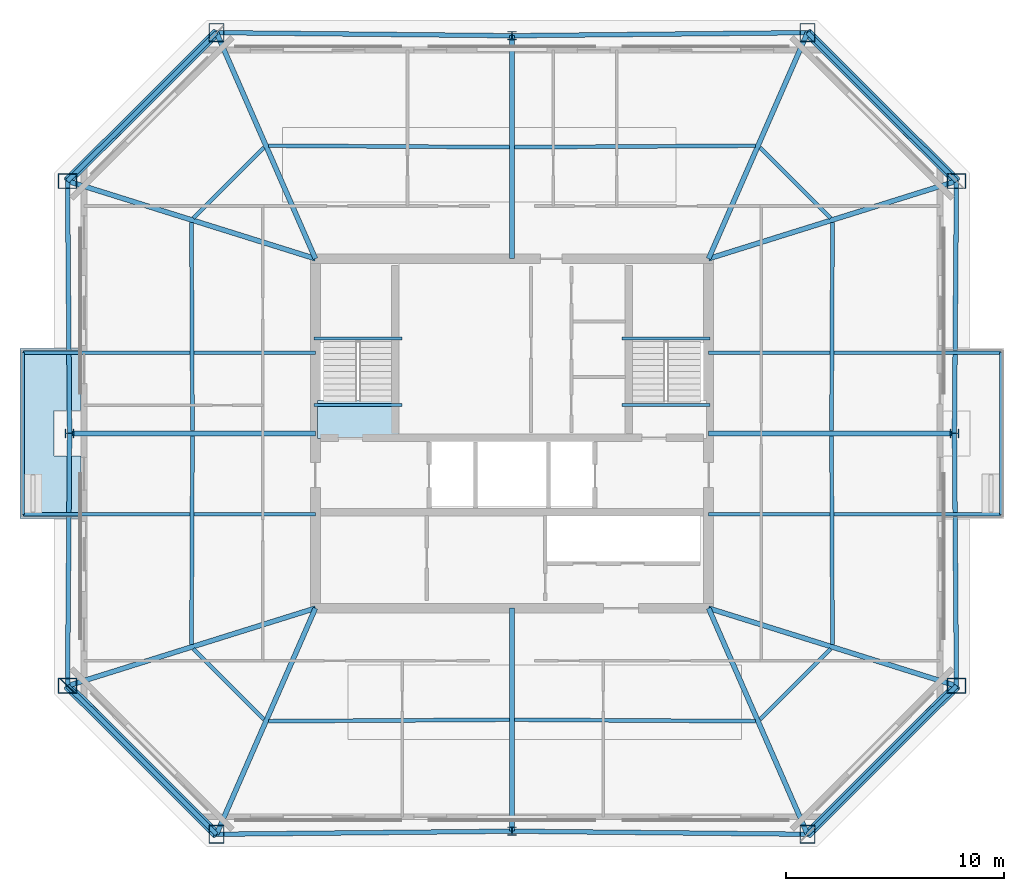
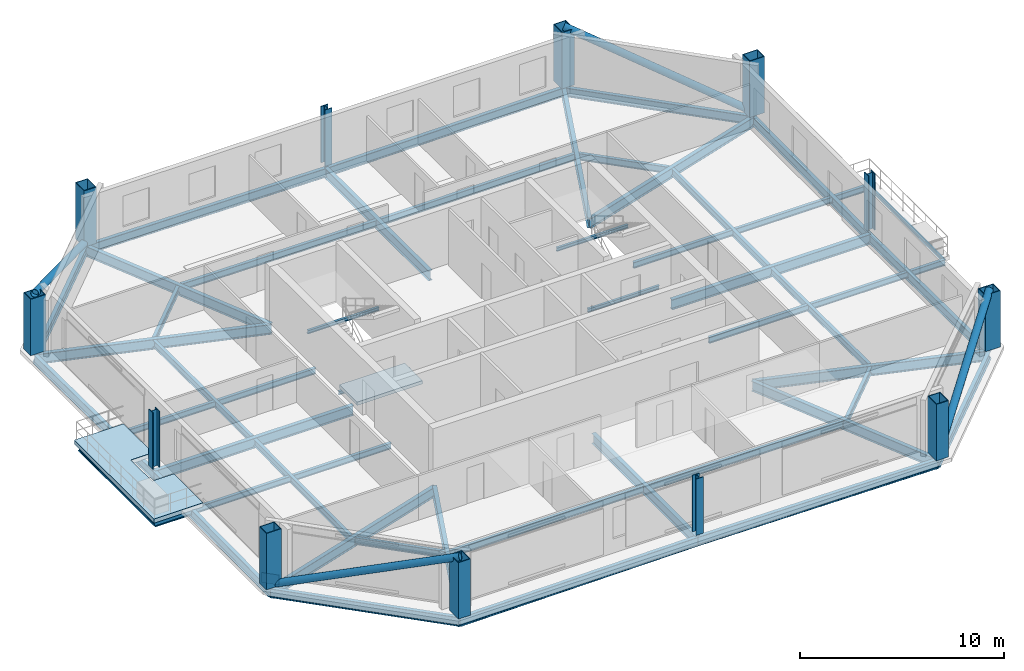
# One storey, part 1 of 7: 46 beams, 12 columns, 4 members, 2 slabs, 1 plate, 1 element without a shape of its own.
"""IFC4 building model written with IfcOpenShell, lengths in metres."""

from ifc_helpers import new_model, si_unit, direction, frame, origin, origin_2d, place, context, subcontext, project, spatial, polyline, rectangle, hollow_rectangle, hollow_circle, i_section, outline, extrude, material, layer, layer_set, material_profile, profile_set, type_object, element, aggregate, save


model = new_model("IFC4")

# Units and contexts
model_context = context("Model", 3, precision=1e-05, world=origin(), true_north=direction((0.0, 1.0)))
body_context = subcontext(model_context, "Body", "Model", "MODEL_VIEW")
ifc_project = project(units=[si_unit("LENGTHUNIT", "METRE"), si_unit("AREAUNIT", "SQUARE_METRE"), si_unit("VOLUMEUNIT", "CUBIC_METRE"), si_unit("PLANEANGLEUNIT", "RADIAN"), si_unit("MASSUNIT", "GRAM", prefix="KILO")], contexts=[model_context])

# Site, building, storey
site_placement = place(None, origin())
site = spatial("IfcSite", under=ifc_project, at=site_placement, CompositionType="ELEMENT")
building_placement = place(site_placement, origin())
building = spatial("IfcBuilding", under=site, at=building_placement, Name="Caelvoria Tower", CompositionType="ELEMENT")
storey_placement = place(building_placement, frame((0.0, 0.0, 220.199951171875)))
storey = spatial("IfcBuildingStorey", under=building, at=storey_placement, Name="L58", CompositionType="ELEMENT", Elevation=220.199951171875)

# Columns
ifc_material_1 = material(Name="Structural Steel ASTM A572 Gr.50", Category="steel")
ifc_material_profile_1 = material_profile(ifc_material_1, hollow_rectangle(XDim=0.699951171875, YDim=0.85009765625, WallThickness=0.0400390625, at=origin_2d()), Name="Structural Steel ASTM A572 Gr.50")
ifc_profile_set_1 = profile_set([ifc_material_profile_1], Name="BOX850X700X40 - Structural Steel ASTM A572 Gr.50")
column_type_1 = type_object("IfcColumnType", Name="Mega Box Column 850x700x40", PredefinedType="COLUMN", material=ifc_profile_set_1)
for number, where, z_axis, x_axis, name in (
    (1, (32.472900390625, 13.652099609375, 0.0), (0.0, 0.0, 1.0), (1.0, 0.0, 0.0), "Perimeter Megaframe Column L58-P00"),
    (2, (59.527099609375, 13.652099609375, 0.0), (0.0, 0.0, 1.0), (1.0, 0.0, 0.0), "Perimeter Megaframe Column L58-P02"),
    (3, (66.3466796875, 20.4462890625, 0.0), (0.0, 0.0, 1.0), (0.0, 1.0, 0.0), "Perimeter Megaframe Column L58-P03"),
    (4, (66.3466796875, 43.5537109375, 0.0), (0.0, 0.0, 1.0), (0.0, 1.0, 0.0), "Perimeter Megaframe Column L58-P05"),
    (5, (59.527099609375, 50.347900390625, 0.0), (0.0, 0.0, 1.0), (1.0, 0.0, 0.0), "Perimeter Megaframe Column L58-P06"),
    (6, (32.472900390625, 50.347900390625, 0.0), (0.0, 0.0, 1.0), (1.0, 0.0, 0.0), "Perimeter Megaframe Column L58-P08"),
    (7, (25.6533203125, 43.5537109375, 0.0), (0.0, 0.0, 1.0), (0.0, 1.0, 0.0), "Perimeter Megaframe Column L58-P09"),
    (8, (25.6533203125, 20.4462890625, 0.0), (0.0, 0.0, 1.0), (0.0, 1.0, 0.0), "Perimeter Megaframe Column L58-P11"),
):
    element("IfcColumn", number, at=place(storey_placement, frame(where, z_axis=z_axis, x_axis=x_axis)), inside=storey, type_object=column_type_1, Name=name, PredefinedType="COLUMN", context=body_context, shape_type="SweptSolid", body=[
        extrude(hollow_rectangle(XDim=0.699951171875, YDim=0.85009765625, WallThickness=0.0400390625, at=origin_2d()), origin(), (0.0, 0.0, 1.0), 3.373046875),
    ])
ifc_material_2 = material(Name="Structural Steel ASTM A992 Gr.50", Category="steel")
ifc_material_profile_2 = material_profile(ifc_material_2, i_section(OverallWidth=0.40087890625, OverallDepth=0.39892578125, WebThickness=0.02490234375, FlangeThickness=0.03955078125, FilletRadius=0.02490234375, at=origin_2d()), Name="Structural Steel ASTM A992 Gr.50")
ifc_profile_set_2 = profile_set([ifc_material_profile_2], Name="W360X314 - Structural Steel ASTM A992 Gr.50")
column_type_2 = type_object("IfcColumnType", Name="Upper Frame Column W360X314", PredefinedType="COLUMN", material=ifc_profile_set_2)
for number, where, z_axis, x_axis, name in (
    (9, (46.0, 13.792724609375, 0.0), (0.0, 0.0, 1.0), (1.0, 0.0, 0.0), "Perimeter Megaframe Column L58-P01"),
    (10, (66.252685546875, 32.0, 0.0), (0.0, 0.0, 1.0), (0.0, 1.0, 0.0), "Perimeter Megaframe Column L58-P04"),
    (11, (46.0, 50.207275390625, 0.0), (0.0, 0.0, 1.0), (1.0, 0.0, 0.0), "Perimeter Megaframe Column L58-P07"),
    (12, (25.747314453125, 32.0, 0.0), (0.0, 0.0, 1.0), (0.0, 1.0, 0.0), "Perimeter Megaframe Column L58-P10"),
):
    element("IfcColumn", number, at=place(storey_placement, frame(where, z_axis=z_axis, x_axis=x_axis)), inside=storey, type_object=column_type_2, Name=name, PredefinedType="COLUMN", context=body_context, shape_type="SweptSolid", body=[
        extrude(i_section(OverallWidth=0.40087890625, OverallDepth=0.39892578125, WebThickness=0.02490234375, FlangeThickness=0.03955078125, FilletRadius=0.02490234375, at=origin_2d()), origin(), (0.0, 0.0, 1.0), 3.373046875),
    ])

# Beams
ifc_material_profile_3 = material_profile(ifc_material_2, i_section(OverallWidth=0.134033203125, OverallDepth=0.2099609375, WebThickness=0.00634765625, FlangeThickness=0.01025390625, FilletRadius=0.010009765625, at=origin_2d()), Name="Structural Steel ASTM A992 Gr.50")
ifc_profile_set_3 = profile_set([ifc_material_profile_3], Name="W200X31.3 - Structural Steel ASTM A992 Gr.50")
beam_type_1 = type_object("IfcBeamType", Name="Canopy Edge Trim Beam W200X31.3", PredefinedType="BEAM", material=ifc_profile_set_3)
for number, where, z_axis, x_axis, name in (
    (13, (23.627197265625, 28.300048828125, -0.428955078125), (0.0, 1.0, 0.0), (-1.0, 0.0, 0.0), "Tree Balcony Edge Beam TB-L58-W"),
    (14, (68.372802734375, 28.300048828125, -0.428955078125), (0.0, 1.0, 0.0), (-1.0, 0.0, 0.0), "Tree Balcony Edge Beam TB-L58-E"),
):
    element("IfcBeam", number, at=place(storey_placement, frame(where, z_axis=z_axis, x_axis=x_axis)), inside=storey, type_object=beam_type_1, Name=name, PredefinedType="BEAM", context=body_context, shape_type="SweptSolid", body=[
        extrude(i_section(OverallWidth=0.134033203125, OverallDepth=0.2099609375, WebThickness=0.00634765625, FlangeThickness=0.01025390625, FilletRadius=0.010009765625, at=origin_2d()), origin(), (0.0, 0.0, 1.0), 7.39990234375),
    ])
for number, where, z_axis, x_axis, name in (
    (15, (36.929931640625, 36.35009765625, 1.4951171875), (1.0, 0.0, 0.0), (0.0, 1.0, 0.0), "ST-01 Half-Landing Support Beam L58"),
    (16, (36.929931640625, 33.300048828125, -0.304931640625), (1.0, 0.0, 0.0), (0.0, 1.0, 0.0), "ST-01 Floor-Landing Support Beam L58"),
    (17, (51.030029296875, 36.35009765625, 1.4951171875), (1.0, 0.0, 0.0), (0.0, 1.0, 0.0), "ST-02 Half-Landing Support Beam L58"),
    (18, (51.030029296875, 33.300048828125, -0.304931640625), (1.0, 0.0, 0.0), (0.0, 1.0, 0.0), "ST-02 Floor-Landing Support Beam L58"),
):
    element("IfcBeam", number, at=place(storey_placement, frame(where, z_axis=z_axis, x_axis=x_axis)), inside=storey, type_object=beam_type_1, Name=name, PredefinedType="BEAM", context=body_context, shape_type="SweptSolid", body=[
        extrude(i_section(OverallWidth=0.134033203125, OverallDepth=0.2099609375, WebThickness=0.00634765625, FlangeThickness=0.01025390625, FilletRadius=0.010009765625, at=origin_2d()), origin(), (0.0, 0.0, 1.0), 4.0400390625),
    ])
ifc_material_profile_4 = material_profile(ifc_material_2, i_section(OverallWidth=0.22802734375, OverallDepth=0.60302734375, WebThickness=0.010498046875, FlangeThickness=0.014892578125, FilletRadius=0.01806640625, at=origin_2d()), Name="Structural Steel ASTM A992 Gr.50")
ifc_profile_set_4 = profile_set([ifc_material_profile_4], Name="W610X101 - Structural Steel ASTM A992 Gr.50")
beam_type_2 = type_object("IfcBeamType", Name="Primary Floor Girder W610X101", PredefinedType="BEAM", material=ifc_profile_set_4)
beam_1_placement = place(storey_placement, frame((37.0, 24.0, -0.5263671875), z_axis=(-0.400810896615, -0.916160807476, 0.0), x_axis=(0.916160807476, -0.400810896615, 0.0)))
element("IfcBeam", 19, at=beam_1_placement, inside=storey, type_object=beam_type_2, Name="Primary Floor Girder L58-00", PredefinedType="BEAM", context=body_context, shape_type="SweptSolid", body=[
    extrude(i_section(OverallWidth=0.22802734375, OverallDepth=0.60302734375, WebThickness=0.010498046875, FlangeThickness=0.014892578125, FilletRadius=0.01806640625, at=origin_2d()), origin(), (0.0, 0.0, 1.0), 11.294921875),
])
beam_2_placement = place(storey_placement, frame((46.0, 24.0, -0.5263671875), z_axis=(0.0, -1.0, 0.0), x_axis=(1.0, 0.0, 0.0)))
element("IfcBeam", 20, at=beam_2_placement, inside=storey, type_object=beam_type_2, Name="Primary Floor Girder L58-01", PredefinedType="BEAM", context=body_context, shape_type="SweptSolid", body=[
    extrude(i_section(OverallWidth=0.22802734375, OverallDepth=0.60302734375, WebThickness=0.010498046875, FlangeThickness=0.014892578125, FilletRadius=0.01806640625, at=origin_2d()), origin(), (0.0, 0.0, 1.0), 10.207275390625),
])
beam_3_placement = place(storey_placement, frame((55.0, 24.0, -0.5263671875), z_axis=(0.400810896615, -0.916160807476, 0.0), x_axis=(0.916160807476, 0.400810896615, 0.0)))
element("IfcBeam", 21, at=beam_3_placement, inside=storey, type_object=beam_type_2, Name="Primary Floor Girder L58-02", PredefinedType="BEAM", context=body_context, shape_type="SweptSolid", body=[
    extrude(i_section(OverallWidth=0.22802734375, OverallDepth=0.60302734375, WebThickness=0.010498046875, FlangeThickness=0.014892578125, FilletRadius=0.01806640625, at=origin_2d()), origin(), (0.0, 0.0, 1.0), 11.294921875),
])
beam_4_placement = place(storey_placement, frame((55.0, 24.0, -0.5263671875), z_axis=(0.954291263844, -0.298878208893, 0.0), x_axis=(0.298878208893, 0.954291263844, 0.0)))
element("IfcBeam", 22, at=beam_4_placement, inside=storey, type_object=beam_type_2, Name="Primary Floor Girder L58-03", PredefinedType="BEAM", context=body_context, shape_type="SweptSolid", body=[
    extrude(i_section(OverallWidth=0.22802734375, OverallDepth=0.60302734375, WebThickness=0.010498046875, FlangeThickness=0.014892578125, FilletRadius=0.01806640625, at=origin_2d()), origin(), (0.0, 0.0, 1.0), 11.89013671875),
])
beam_5_placement = place(storey_placement, frame((55.0, 32.0, -0.5263671875), z_axis=(1.0, 0.0, 0.0), x_axis=(0.0, 1.0, 0.0)))
element("IfcBeam", 23, at=beam_5_placement, inside=storey, type_object=beam_type_2, Name="Primary Floor Girder L58-04", PredefinedType="BEAM", context=body_context, shape_type="SweptSolid", body=[
    extrude(i_section(OverallWidth=0.22802734375, OverallDepth=0.60302734375, WebThickness=0.010498046875, FlangeThickness=0.014892578125, FilletRadius=0.01806640625, at=origin_2d()), origin(), (0.0, 0.0, 1.0), 11.252685546875),
])
beam_6_placement = place(storey_placement, frame((55.0, 40.0, -0.5263671875), z_axis=(0.954291263844, 0.298878208893, 0.0), x_axis=(-0.298878208893, 0.954291263844, 0.0)))
element("IfcBeam", 24, at=beam_6_placement, inside=storey, type_object=beam_type_2, Name="Primary Floor Girder L58-05", PredefinedType="BEAM", context=body_context, shape_type="SweptSolid", body=[
    extrude(i_section(OverallWidth=0.22802734375, OverallDepth=0.60302734375, WebThickness=0.010498046875, FlangeThickness=0.014892578125, FilletRadius=0.01806640625, at=origin_2d()), origin(), (0.0, 0.0, 1.0), 11.89013671875),
])
beam_7_placement = place(storey_placement, frame((55.0, 40.0, -0.5263671875), z_axis=(0.400810896615, 0.916160807476, 0.0), x_axis=(-0.916160807476, 0.400810896615, 0.0)))
element("IfcBeam", 25, at=beam_7_placement, inside=storey, type_object=beam_type_2, Name="Primary Floor Girder L58-06", PredefinedType="BEAM", context=body_context, shape_type="SweptSolid", body=[
    extrude(i_section(OverallWidth=0.22802734375, OverallDepth=0.60302734375, WebThickness=0.010498046875, FlangeThickness=0.014892578125, FilletRadius=0.01806640625, at=origin_2d()), origin(), (0.0, 0.0, 1.0), 11.294921875),
])
beam_8_placement = place(storey_placement, frame((46.0, 40.0, -0.5263671875), z_axis=(0.0, 1.0, 0.0), x_axis=(-1.0, 0.0, 0.0)))
element("IfcBeam", 26, at=beam_8_placement, inside=storey, type_object=beam_type_2, Name="Primary Floor Girder L58-07", PredefinedType="BEAM", context=body_context, shape_type="SweptSolid", body=[
    extrude(i_section(OverallWidth=0.22802734375, OverallDepth=0.60302734375, WebThickness=0.010498046875, FlangeThickness=0.014892578125, FilletRadius=0.01806640625, at=origin_2d()), origin(), (0.0, 0.0, 1.0), 10.207275390625),
])
beam_9_placement = place(storey_placement, frame((37.0, 40.0, -0.5263671875), z_axis=(-0.400810896615, 0.916160807476, 0.0), x_axis=(-0.916160807476, -0.400810896615, 0.0)))
element("IfcBeam", 27, at=beam_9_placement, inside=storey, type_object=beam_type_2, Name="Primary Floor Girder L58-08", PredefinedType="BEAM", context=body_context, shape_type="SweptSolid", body=[
    extrude(i_section(OverallWidth=0.22802734375, OverallDepth=0.60302734375, WebThickness=0.010498046875, FlangeThickness=0.014892578125, FilletRadius=0.01806640625, at=origin_2d()), origin(), (0.0, 0.0, 1.0), 11.294921875),
])
beam_10_placement = place(storey_placement, frame((37.0, 40.0, -0.5263671875), z_axis=(-0.954291263844, 0.298878208893, 0.0), x_axis=(-0.298878208893, -0.954291263844, 0.0)))
element("IfcBeam", 28, at=beam_10_placement, inside=storey, type_object=beam_type_2, Name="Primary Floor Girder L58-09", PredefinedType="BEAM", context=body_context, shape_type="SweptSolid", body=[
    extrude(i_section(OverallWidth=0.22802734375, OverallDepth=0.60302734375, WebThickness=0.010498046875, FlangeThickness=0.014892578125, FilletRadius=0.01806640625, at=origin_2d()), origin(), (0.0, 0.0, 1.0), 11.89013671875),
])
beam_11_placement = place(storey_placement, frame((37.0, 32.0, -0.5263671875), z_axis=(-1.0, 0.0, 0.0), x_axis=(0.0, -1.0, 0.0)))
element("IfcBeam", 29, at=beam_11_placement, inside=storey, type_object=beam_type_2, Name="Primary Floor Girder L58-10", PredefinedType="BEAM", context=body_context, shape_type="SweptSolid", body=[
    extrude(i_section(OverallWidth=0.22802734375, OverallDepth=0.60302734375, WebThickness=0.010498046875, FlangeThickness=0.014892578125, FilletRadius=0.01806640625, at=origin_2d()), origin(), (0.0, 0.0, 1.0), 11.252685546875),
])
beam_12_placement = place(storey_placement, frame((37.0, 24.0, -0.5263671875), z_axis=(-0.954291263844, -0.298878208893, 0.0), x_axis=(0.298878208893, -0.954291263844, 0.0)))
element("IfcBeam", 30, at=beam_12_placement, inside=storey, type_object=beam_type_2, Name="Primary Floor Girder L58-11", PredefinedType="BEAM", context=body_context, shape_type="SweptSolid", body=[
    extrude(i_section(OverallWidth=0.22802734375, OverallDepth=0.60302734375, WebThickness=0.010498046875, FlangeThickness=0.014892578125, FilletRadius=0.01806640625, at=origin_2d()), origin(), (0.0, 0.0, 1.0), 11.89013671875),
])
ifc_material_profile_5 = material_profile(ifc_material_2, i_section(OverallWidth=0.177978515625, OverallDepth=0.406982421875, WebThickness=0.0078125, FlangeThickness=0.0126953125, FilletRadius=0.013916015625, at=origin_2d()), Name="Structural Steel ASTM A992 Gr.50")
ifc_profile_set_5 = profile_set([ifc_material_profile_5], Name="W410X60 - Structural Steel ASTM A992 Gr.50")
beam_type_3 = type_object("IfcBeamType", Name="Secondary Floor Beam W410X60", PredefinedType="BEAM", material=ifc_profile_set_5)
for number, where, z_axis, x_axis, name in (
    (31, (34.861328125, 18.826904296875, -0.428466796875), (0.99998060071, 0.006228820465, 0.0), (-0.006228820465, 0.99998060071, 0.0), "Secondary Floor Beam L58-00"),
    (32, (46.125, 18.8955078125, -0.428466796875), (0.99998060071, -0.006228820465, 0.0), (0.006228820465, 0.99998060071, 0.0), "Secondary Floor Beam L58-01"),
):
    element("IfcBeam", number, at=place(storey_placement, frame(where, z_axis=z_axis, x_axis=x_axis)), inside=storey, type_object=beam_type_3, Name=name, PredefinedType="BEAM", context=body_context, shape_type="SweptSolid", body=[
        extrude(i_section(OverallWidth=0.177978515625, OverallDepth=0.406982421875, WebThickness=0.0078125, FlangeThickness=0.0126953125, FilletRadius=0.013916015625, at=origin_2d()), origin(), (0.0, 0.0, 1.0), 11.013916015625),
    ])
beam_13_placement = place(storey_placement, frame((57.352294921875, 18.914306640625, -0.428466796875), z_axis=(0.708389705346, 0.705821525146, 0.0), x_axis=(-0.705821525146, 0.708389705346, 0.0)))
element("IfcBeam", 33, at=beam_13_placement, inside=storey, type_object=beam_type_3, Name="Secondary Floor Beam L58-02", PredefinedType="BEAM", context=body_context, shape_type="SweptSolid", body=[
    extrude(i_section(OverallWidth=0.177978515625, OverallDepth=0.406982421875, WebThickness=0.0078125, FlangeThickness=0.0126953125, FilletRadius=0.013916015625, at=origin_2d()), origin(), (0.0, 0.0, 1.0), 4.56298828125),
])
for number, where, z_axis, x_axis, name in (
    (34, (60.672607421875, 22.34814453125, -0.428466796875), (-0.004792113495, 0.999988517758, 0.0), (-0.999988517758, -0.004792113495, 0.0), "Secondary Floor Beam L58-03"),
    (35, (60.626953125, 32.125, -0.428466796875), (0.004792113495, 0.999988517758, 0.0), (-0.999988517758, 0.004792113495, 0.0), "Secondary Floor Beam L58-04"),
):
    element("IfcBeam", number, at=place(storey_placement, frame(where, z_axis=z_axis, x_axis=x_axis)), inside=storey, type_object=beam_type_3, Name=name, PredefinedType="BEAM", context=body_context, shape_type="SweptSolid", body=[
        extrude(i_section(OverallWidth=0.177978515625, OverallDepth=0.406982421875, WebThickness=0.0078125, FlangeThickness=0.0126953125, FilletRadius=0.013916015625, at=origin_2d()), origin(), (0.0, 0.0, 1.0), 9.52685546875),
    ])
beam_14_placement = place(storey_placement, frame((60.584716796875, 41.864990234375, -0.428466796875), z_axis=(-0.708389705346, 0.705821525146, 0.0), x_axis=(-0.705821525146, -0.708389705346, 0.0)))
element("IfcBeam", 36, at=beam_14_placement, inside=storey, type_object=beam_type_3, Name="Secondary Floor Beam L58-05", PredefinedType="BEAM", context=body_context, shape_type="SweptSolid", body=[
    extrude(i_section(OverallWidth=0.177978515625, OverallDepth=0.406982421875, WebThickness=0.0078125, FlangeThickness=0.0126953125, FilletRadius=0.013916015625, at=origin_2d()), origin(), (0.0, 0.0, 1.0), 4.56298828125),
])
for number, where, z_axis, x_axis, name in (
    (37, (57.138671875, 45.173095703125, -0.428466796875), (-0.99998060071, -0.006228820465, 0.0), (0.006228820465, -0.99998060071, 0.0), "Secondary Floor Beam L58-06"),
    (38, (45.875, 45.1044921875, -0.428466796875), (-0.99998060071, 0.006228820465, 0.0), (-0.006228820465, -0.99998060071, 0.0), "Secondary Floor Beam L58-07"),
):
    element("IfcBeam", number, at=place(storey_placement, frame(where, z_axis=z_axis, x_axis=x_axis)), inside=storey, type_object=beam_type_3, Name=name, PredefinedType="BEAM", context=body_context, shape_type="SweptSolid", body=[
        extrude(i_section(OverallWidth=0.177978515625, OverallDepth=0.406982421875, WebThickness=0.0078125, FlangeThickness=0.0126953125, FilletRadius=0.013916015625, at=origin_2d()), origin(), (0.0, 0.0, 1.0), 11.013916015625),
    ])
beam_15_placement = place(storey_placement, frame((34.647705078125, 45.085693359375, -0.428466796875), z_axis=(-0.708389705346, -0.705821525146, 0.0), x_axis=(0.705821525146, -0.708389705346, 0.0)))
element("IfcBeam", 39, at=beam_15_placement, inside=storey, type_object=beam_type_3, Name="Secondary Floor Beam L58-08", PredefinedType="BEAM", context=body_context, shape_type="SweptSolid", body=[
    extrude(i_section(OverallWidth=0.177978515625, OverallDepth=0.406982421875, WebThickness=0.0078125, FlangeThickness=0.0126953125, FilletRadius=0.013916015625, at=origin_2d()), origin(), (0.0, 0.0, 1.0), 4.56298828125),
])
for number, where, z_axis, x_axis, name in (
    (40, (31.327392578125, 41.65185546875, -0.428466796875), (0.004792113495, -0.999988517758, 0.0), (0.999988517758, 0.004792113495, 0.0), "Secondary Floor Beam L58-09"),
    (41, (31.373046875, 31.875, -0.428466796875), (-0.004792113495, -0.999988517758, 0.0), (0.999988517758, -0.004792113495, 0.0), "Secondary Floor Beam L58-10"),
):
    element("IfcBeam", number, at=place(storey_placement, frame(where, z_axis=z_axis, x_axis=x_axis)), inside=storey, type_object=beam_type_3, Name=name, PredefinedType="BEAM", context=body_context, shape_type="SweptSolid", body=[
        extrude(i_section(OverallWidth=0.177978515625, OverallDepth=0.406982421875, WebThickness=0.0078125, FlangeThickness=0.0126953125, FilletRadius=0.013916015625, at=origin_2d()), origin(), (0.0, 0.0, 1.0), 9.52685546875),
    ])
beam_16_placement = place(storey_placement, frame((31.415283203125, 22.135009765625, -0.428466796875), z_axis=(0.708389705346, -0.705821525146, 0.0), x_axis=(0.705821525146, 0.708389705346, 0.0)))
element("IfcBeam", 42, at=beam_16_placement, inside=storey, type_object=beam_type_3, Name="Secondary Floor Beam L58-11", PredefinedType="BEAM", context=body_context, shape_type="SweptSolid", body=[
    extrude(i_section(OverallWidth=0.177978515625, OverallDepth=0.406982421875, WebThickness=0.0078125, FlangeThickness=0.0126953125, FilletRadius=0.013916015625, at=origin_2d()), origin(), (0.0, 0.0, 1.0), 4.56298828125),
])
ifc_material_profile_6 = material_profile(ifc_material_2, i_section(OverallWidth=0.1708984375, OverallDepth=0.35498046875, WebThickness=0.007080078125, FlangeThickness=0.01171875, FilletRadius=0.012939453125, at=origin_2d()), Name="Structural Steel ASTM A992 Gr.50")
ifc_profile_set_6 = profile_set([ifc_material_profile_6], Name="W360X51 - Structural Steel ASTM A992 Gr.50")
beam_type_4 = type_object("IfcBeamType", Name="Tree Balcony Cantilever Beam W360X51", PredefinedType="BEAM", material=ifc_profile_set_6)
for number, where, z_axis, x_axis, name in (
    (43, (37.0, 28.300048828125, -0.428955078125), (-1.0, 0.0, 0.0), (0.0, -1.0, 0.0), "Tree Balcony Cantilever Beam TB-L58-W L"),
    (44, (37.0, 35.699951171875, -0.428955078125), (-1.0, 0.0, 0.0), (0.0, -1.0, 0.0), "Tree Balcony Cantilever Beam TB-L58-W R"),
    (45, (55.0, 28.300048828125, -0.428955078125), (1.0, 0.0, 0.0), (0.0, 1.0, 0.0), "Tree Balcony Cantilever Beam TB-L58-E L"),
    (46, (55.0, 35.699951171875, -0.428955078125), (1.0, 0.0, 0.0), (0.0, 1.0, 0.0), "Tree Balcony Cantilever Beam TB-L58-E R"),
):
    element("IfcBeam", number, at=place(storey_placement, frame(where, z_axis=z_axis, x_axis=x_axis)), inside=storey, type_object=beam_type_4, Name=name, PredefinedType="BEAM", context=body_context, shape_type="SweptSolid", body=[
        extrude(i_section(OverallWidth=0.1708984375, OverallDepth=0.35498046875, WebThickness=0.007080078125, FlangeThickness=0.01171875, FilletRadius=0.012939453125, at=origin_2d()), origin(), (0.0, 0.0, 1.0), 13.372802734375),
    ])

# Members
ifc_material_profile_7 = material_profile(ifc_material_1, hollow_circle(Radius=0.202880859375, WallThickness=0.01611328125, at=origin_2d()), Name="Structural Steel ASTM A572 Gr.50")
ifc_profile_set_7 = profile_set([ifc_material_profile_7], Name="CHS406X16 - Structural Steel ASTM A572 Gr.50")
member_type = type_object("IfcMemberType", Name="Upper Perimeter Mega Brace CHS406X16", PredefinedType="BRACE", material=ifc_profile_set_7)
for number, where, z_axis, x_axis, name in (
    (47, (59.527099609375, 13.652099609375, 0.0), (0.668527464855, 0.666038406883, 0.33085324434), (-0.705786750432, 0.708424352288, 0.0), "Perimeter Chamfer Mega Brace L58 SE"),
    (48, (66.3466796875, 43.5537109375, 0.0), (-0.668527464855, 0.666038406883, 0.33085324434), (-0.705786750432, -0.708424352288, 0.0), "Perimeter Chamfer Mega Brace L58 NE"),
    (49, (32.472900390625, 50.347900390625, 0.0), (-0.668527464855, -0.666038406883, 0.33085324434), (0.705786750432, -0.708424352288, 0.0), "Perimeter Chamfer Mega Brace L58 NW"),
    (50, (25.6533203125, 20.4462890625, 0.0), (0.668527464855, -0.666038406883, 0.33085324434), (0.705786750432, 0.708424352288, 0.0), "Perimeter Chamfer Mega Brace L58 SW"),
):
    element("IfcMember", number, at=place(storey_placement, frame(where, z_axis=z_axis, x_axis=x_axis)), inside=storey, type_object=member_type, Name=name, PredefinedType="BRACE", context=body_context, shape_type="SweptSolid", body=[
        extrude(hollow_circle(Radius=0.202880859375, WallThickness=0.01611328125, at=origin_2d()), origin(), (0.0, 0.0, 1.0), 10.200927734375),
    ])

# Beams
ifc_material_profile_8 = material_profile(ifc_material_2, i_section(OverallWidth=0.208984375, OverallDepth=0.532958984375, WebThickness=0.01025390625, FlangeThickness=0.015625, FilletRadius=0.01611328125, at=origin_2d()), Name="Structural Steel ASTM A992 Gr.50")
ifc_profile_set_8 = profile_set([ifc_material_profile_8], Name="W530X92 - Structural Steel ASTM A992 Gr.50")
beam_type_5 = type_object("IfcBeamType", Name="Upper Zone Spandrel W530X92", PredefinedType="BEAM", material=ifc_profile_set_8)
for number, where, z_axis, x_axis, name in (
    (51, (32.472900390625, 13.652099609375, -0.491455078125), (0.999945968068, 0.01039523666, 0.0), (-0.01039523666, 0.999945968068, 0.0), "Perimeter Spandrel Girder L58-00"),
    (52, (46.0, 13.792724609375, -0.491455078125), (0.999945968068, -0.01039523666, 0.0), (0.01039523666, 0.999945968068, 0.0), "Perimeter Spandrel Girder L58-01"),
):
    element("IfcBeam", number, at=place(storey_placement, frame(where, z_axis=z_axis, x_axis=x_axis)), inside=storey, type_object=beam_type_5, Name=name, PredefinedType="BEAM", context=body_context, shape_type="SweptSolid", body=[
        extrude(i_section(OverallWidth=0.208984375, OverallDepth=0.532958984375, WebThickness=0.01025390625, FlangeThickness=0.015625, FilletRadius=0.01611328125, at=origin_2d()), origin(), (0.0, 0.0, 1.0), 13.52783203125),
    ])
beam_17_placement = place(storey_placement, frame((59.527099609375, 13.652099609375, -0.491455078125), z_axis=(0.708424352288, 0.705786750432, 0.0), x_axis=(-0.705786750432, 0.708424352288, 0.0)))
element("IfcBeam", 53, at=beam_17_placement, inside=storey, type_object=beam_type_5, Name="Perimeter Spandrel Girder L58-02", PredefinedType="BEAM", context=body_context, shape_type="SweptSolid", body=[
    extrude(i_section(OverallWidth=0.208984375, OverallDepth=0.532958984375, WebThickness=0.01025390625, FlangeThickness=0.015625, FilletRadius=0.01611328125, at=origin_2d()), origin(), (0.0, 0.0, 1.0), 9.62646484375),
])
for number, where, z_axis, x_axis, name in (
    (54, (66.3466796875, 20.4462890625, -0.491455078125), (-0.008135137775, 0.999966909219, 0.0), (-0.999966909219, -0.008135137775, 0.0), "Perimeter Spandrel Girder L58-03"),
    (55, (66.252685546875, 32.0, -0.491455078125), (0.008135137775, 0.999966909219, 0.0), (-0.999966909219, 0.008135137775, 0.0), "Perimeter Spandrel Girder L58-04"),
):
    element("IfcBeam", number, at=place(storey_placement, frame(where, z_axis=z_axis, x_axis=x_axis)), inside=storey, type_object=beam_type_5, Name=name, PredefinedType="BEAM", context=body_context, shape_type="SweptSolid", body=[
        extrude(i_section(OverallWidth=0.208984375, OverallDepth=0.532958984375, WebThickness=0.01025390625, FlangeThickness=0.015625, FilletRadius=0.01611328125, at=origin_2d()), origin(), (0.0, 0.0, 1.0), 11.55419921875),
    ])
beam_18_placement = place(storey_placement, frame((66.3466796875, 43.5537109375, -0.491455078125), z_axis=(-0.708424352288, 0.705786750432, 0.0), x_axis=(-0.705786750432, -0.708424352288, 0.0)))
element("IfcBeam", 56, at=beam_18_placement, inside=storey, type_object=beam_type_5, Name="Perimeter Spandrel Girder L58-05", PredefinedType="BEAM", context=body_context, shape_type="SweptSolid", body=[
    extrude(i_section(OverallWidth=0.208984375, OverallDepth=0.532958984375, WebThickness=0.01025390625, FlangeThickness=0.015625, FilletRadius=0.01611328125, at=origin_2d()), origin(), (0.0, 0.0, 1.0), 9.62646484375),
])
for number, where, z_axis, x_axis, name in (
    (57, (59.527099609375, 50.347900390625, -0.491455078125), (-0.999945968068, -0.01039523666, 0.0), (0.01039523666, -0.999945968068, 0.0), "Perimeter Spandrel Girder L58-06"),
    (58, (46.0, 50.207275390625, -0.491455078125), (-0.999945968068, 0.01039523666, 0.0), (-0.01039523666, -0.999945968068, 0.0), "Perimeter Spandrel Girder L58-07"),
):
    element("IfcBeam", number, at=place(storey_placement, frame(where, z_axis=z_axis, x_axis=x_axis)), inside=storey, type_object=beam_type_5, Name=name, PredefinedType="BEAM", context=body_context, shape_type="SweptSolid", body=[
        extrude(i_section(OverallWidth=0.208984375, OverallDepth=0.532958984375, WebThickness=0.01025390625, FlangeThickness=0.015625, FilletRadius=0.01611328125, at=origin_2d()), origin(), (0.0, 0.0, 1.0), 13.52783203125),
    ])
beam_19_placement = place(storey_placement, frame((32.472900390625, 50.347900390625, -0.491455078125), z_axis=(-0.708424352288, -0.705786750432, 0.0), x_axis=(0.705786750432, -0.708424352288, 0.0)))
element("IfcBeam", 59, at=beam_19_placement, inside=storey, type_object=beam_type_5, Name="Perimeter Spandrel Girder L58-08", PredefinedType="BEAM", context=body_context, shape_type="SweptSolid", body=[
    extrude(i_section(OverallWidth=0.208984375, OverallDepth=0.532958984375, WebThickness=0.01025390625, FlangeThickness=0.015625, FilletRadius=0.01611328125, at=origin_2d()), origin(), (0.0, 0.0, 1.0), 9.62646484375),
])
for number, where, z_axis, x_axis, name in (
    (60, (25.6533203125, 43.5537109375, -0.491455078125), (0.008135137775, -0.999966909219, 0.0), (0.999966909219, 0.008135137775, 0.0), "Perimeter Spandrel Girder L58-09"),
    (61, (25.747314453125, 32.0, -0.491455078125), (-0.008135137775, -0.999966909219, 0.0), (0.999966909219, -0.008135137775, 0.0), "Perimeter Spandrel Girder L58-10"),
):
    element("IfcBeam", number, at=place(storey_placement, frame(where, z_axis=z_axis, x_axis=x_axis)), inside=storey, type_object=beam_type_5, Name=name, PredefinedType="BEAM", context=body_context, shape_type="SweptSolid", body=[
        extrude(i_section(OverallWidth=0.208984375, OverallDepth=0.532958984375, WebThickness=0.01025390625, FlangeThickness=0.015625, FilletRadius=0.01611328125, at=origin_2d()), origin(), (0.0, 0.0, 1.0), 11.55419921875),
    ])
beam_20_placement = place(storey_placement, frame((25.6533203125, 20.4462890625, -0.491455078125), z_axis=(0.708424352288, -0.705786750432, 0.0), x_axis=(0.705786750432, 0.708424352288, 0.0)))
element("IfcBeam", 62, at=beam_20_placement, inside=storey, type_object=beam_type_5, Name="Perimeter Spandrel Girder L58-11", PredefinedType="BEAM", context=body_context, shape_type="SweptSolid", body=[
    extrude(i_section(OverallWidth=0.208984375, OverallDepth=0.532958984375, WebThickness=0.01025390625, FlangeThickness=0.015625, FilletRadius=0.01611328125, at=origin_2d()), origin(), (0.0, 0.0, 1.0), 9.62646484375),
])

# Plate
ifc_layer_1 = layer(ifc_material_1, 0.0400390625, Name="Structural Steel ASTM A572 Gr.50")
ifc_layer_set_1 = layer_set([ifc_layer_1], Name="Megaframe Node Gusset Plate 900x600x40 - Structural Steel ASTM A572 Gr.50")
plate_type = type_object("IfcPlateType", Name="Megaframe Node Gusset Plate 900x600x40", PredefinedType="USERDEFINED", material=ifc_layer_set_1)
plate_placement = place(storey_placement, frame((25.6533203125, 20.4462890625, 0.02001953125), z_axis=(0.0, 0.0, 1.0), x_axis=(0.708414984386, -0.705796153218, 0.0)))
element("IfcPlate", 63, at=plate_placement, inside=storey, type_object=plate_type, Name="Chamfer Mega Brace Gusset L58 SW", ObjectType="GUSSET_PLATE", PredefinedType="USERDEFINED", context=body_context, shape_type="SweptSolid", body=[
    extrude(rectangle(XDim=0.89990234375, YDim=0.0400390625, at=origin_2d()), origin(), (0.0, 0.0, 1.0), 0.60009765625),
])

# Stair, slab
ifc_material_3 = material(Name="Concrete C40/50", Category="concrete")
stair_type = type_object("IfcStairType", Name="Core Smokeproof Dogleg Stair Concrete C40/50", PredefinedType="HALF_TURN_STAIR", material=ifc_material_3)
stair_placement = place(storey_placement, origin())
stair = element("IfcStair", 64, at=stair_placement, inside=storey, type_object=stair_type, Name="ST-01 Smokeproof Exit Stair L58", PredefinedType="HALF_TURN_STAIR")
ifc_layer_2 = layer(ifc_material_3, 0.199951171875, Name="Concrete C40/50")
ifc_layer_set_2 = layer_set([ifc_layer_2], Name="Stair Half and Floor Landing Slab 200 Concrete C40/50 - Concrete C40/50")
slab_type_1 = type_object("IfcSlabType", Name="Stair Half and Floor Landing Slab 200 Concrete C40/50", PredefinedType="LANDING", material=ifc_layer_set_2)
slab_1_placement = place(storey_placement, frame((0.0, 0.0, -0.199951171875)))
slab_1 = element("IfcSlab", 65, at=slab_1_placement, type_object=slab_type_1, Name="ST-01 landing 1", PredefinedType="LANDING", context=body_context, shape_type="SweptSolid", body=[
    extrude(outline(polyline([(37.10009765625, 31.77001953125), (40.800048828125, 31.77001953125), (40.800048828125, 33.5), (37.10009765625, 33.5), (37.10009765625, 31.77001953125)])), origin(), (0.0, 0.0, 1.0), 0.199951171875),
])
aggregate(stair, [slab_1])

# Slab
ifc_material_4 = material(Name="Concrete C45/55", Category="concrete")
ifc_layer_3 = layer(ifc_material_4, 0.25, Name="Concrete C45/55")
ifc_layer_set_3 = layer_set([ifc_layer_3], Name="Tree Balcony Structural Planter Slab 250 - Concrete C45/55")
slab_type_2 = type_object("IfcSlabType", Name="Tree Balcony Structural Planter Slab 250", PredefinedType="FLOOR", material=ifc_layer_set_3)
slab_2_placement = place(storey_placement, frame((0.0, 0.0, -0.25)))
element("IfcSlab", 66, at=slab_2_placement, inside=storey, type_object=slab_type_2, Name="Tree Balcony Slab TB-L58-W", PredefinedType="FLOOR", context=body_context, shape_type="SweptSolid", body=[
    extrude(outline(polyline([(23.477294921875, 28.10009765625), (25.02734375, 28.10009765625), (26.267333984375, 28.10009765625), (26.267333984375, 30.9599609375), (25.02734375, 30.9599609375), (25.02734375, 33.0400390625), (26.267333984375, 33.0400390625), (26.267333984375, 35.89990234375), (25.02734375, 35.89990234375), (23.477294921875, 35.89990234375), (23.477294921875, 28.10009765625)])), origin(), (0.0, 0.0, 1.0), 0.25),
])

save(model, "model.ifc")
